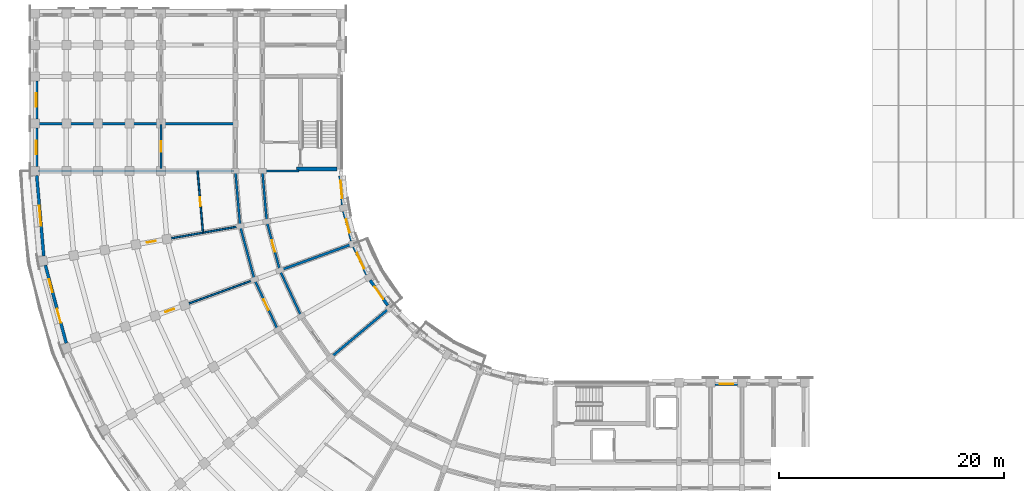
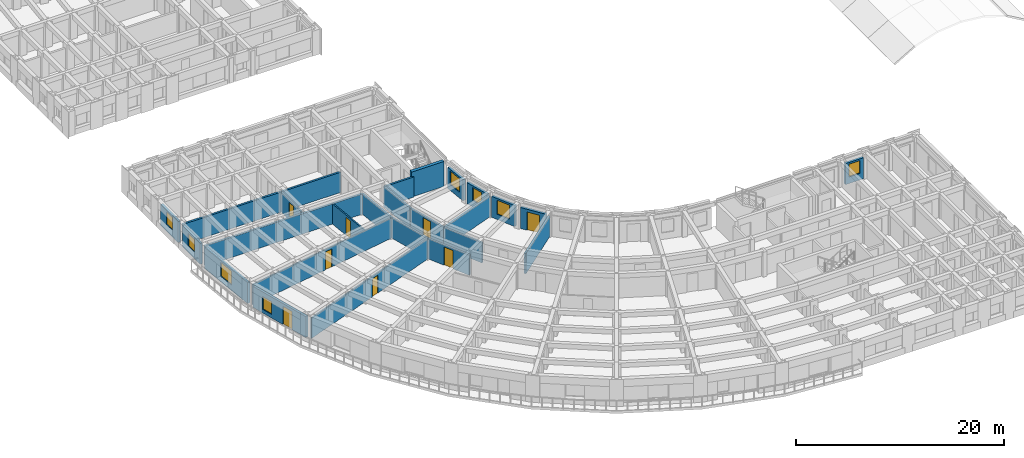
# One storey, part 18 of 54: 25 walls, 8 doors, 8 windows, 16 openings.
"""IFC4 building model written with IfcOpenShell, lengths in metres."""

from ifc_helpers import new_model, si_unit, direction, frame, frame_2d, origin, place, context, subcontext, project, spatial, rectangle, extrude, material, layer, layer_set, type_object, element, fill, save


model = new_model("IFC4")

# Units and contexts
model_context = context("Model", 3, precision=1e-05, world=origin(), true_north=direction((0.0, 1.0)))
body_context = subcontext(model_context, "Body", "Model", "MODEL_VIEW")
ifc_project = project(units=[si_unit("LENGTHUNIT", "METRE"), si_unit("AREAUNIT", "SQUARE_METRE"), si_unit("VOLUMEUNIT", "CUBIC_METRE"), si_unit("PLANEANGLEUNIT", "RADIAN"), si_unit("MASSUNIT", "GRAM", prefix="KILO")], contexts=[model_context])

# Site, building, storey
site_placement = place(None, origin())
site = spatial("IfcSite", under=ifc_project, at=site_placement, CompositionType="ELEMENT")
building_placement = place(site_placement, origin())
building = spatial("IfcBuilding", under=site, at=building_placement, Name="Kiranvali Square Residences", CompositionType="ELEMENT")
storey_placement = place(building_placement, frame((0.0, 0.0, 15.0)))
storey = spatial("IfcBuildingStorey", under=building, at=storey_placement, Name="L04", CompositionType="ELEMENT", Elevation=15.0)

# Wall
ifc_material_1 = material(Name="Autoclaved aerated concrete blockwork masonry", Category="masonry")
ifc_layer_1 = layer(ifc_material_1, 0.199951171875)
ifc_layer_set_1 = layer_set([ifc_layer_1], Name="Autoclaved aerated concrete blockwork masonry")
wall_type_1 = type_object("IfcWallType", Name="WL-COR-200", PredefinedType="STANDARD", material=ifc_layer_set_1)
wall_1_placement = place(storey_placement, frame((25.8564453125, 35.300048828125, 0.0), z_axis=(0.0, 0.0, 1.0), x_axis=(-0.422617978463, 0.906307919131, 0.0)))
element("IfcWall", 1, at=wall_1_placement, inside=storey, type_object=wall_type_1, Name="L04 architectural wall WL-L04-C-CCI-6", PredefinedType="STANDARD", context=body_context, shape_type="SweptSolid", body=[
    extrude(rectangle(XDim=4.497314453125, YDim=0.199951171875, at=frame_2d((2.24853515625, 0.0))), origin(), (0.0, 0.0, 1.0), 2.3720703125),
])

# Wall, opening, door
wall_2_placement = place(storey_placement, frame((23.778076171875, 34.10009765625, 0.0), z_axis=(0.0, 0.0, 1.0), x_axis=(-0.422629854778, 0.906302381024, 0.0)))
wall_2 = element("IfcWall", 2, at=wall_2_placement, inside=storey, type_object=wall_type_1, Name="L04 architectural wall WL-L04-C-CCO-6", PredefinedType="STANDARD", context=body_context, shape_type="SweptSolid", body=[
    extrude(rectangle(XDim=4.915283203125, YDim=0.199951171875, at=frame_2d((2.45751953125, 0.0))), origin(), (0.0, 0.0, 1.0), 2.3720703125),
])
opening_1_placement = place(wall_2_placement, frame((1.937744140625, 0.0, 0.0)))
opening_1 = element("IfcOpeningElement", 3, at=opening_1_placement, cuts=wall_2, Name="Opening FD-APT-60B", PredefinedType="OPENING", context=body_context, shape_type="SweptSolid", body=[
    extrude(rectangle(XDim=1.0400390625, YDim=2.14990234375, at=frame_2d((0.52001953125, 1.074951171875))), frame((0.0, 0.10986328125, 0.0), z_axis=(0.0, -1.0, 0.0), x_axis=(1.0, 0.0, 0.0)), (0.0, 0.0, 1.0), 0.219970703125),
])
ifc_material_2 = material(Name="Fire-rated acoustic hardwood and mineral-core door assembly", Category="wood")
door_type_1 = type_object("IfcDoorType", Name="DR-APT-1040", OperationType="NOTDEFINED", PredefinedType="DOOR", material=ifc_material_2)
door_1_placement = place(opening_1_placement, frame((1.0400390625, 0.0, 0.0), z_axis=(0.0, 0.0, 1.0), x_axis=(-1.0, 0.0, 0.0)))
door_1 = element("IfcDoor", 4, at=door_1_placement, inside=storey, type_object=door_type_1, Name="L04 door DR-L04-2004 (DR-APT-1040)", OperationType="SINGLE_SWING_RIGHT", OverallHeight=2.14990234375, OverallWidth=1.0400390625, PredefinedType="DOOR", context=body_context, shape_type="SweptSolid", body=[
    extrude(rectangle(XDim=1.0400390625, YDim=2.14990234375, at=frame_2d((0.52001953125, 1.074951171875))), frame((0.0, 0.02490234375, 0.0), z_axis=(0.0, -1.0, 0.0), x_axis=(1.0, 0.0, 0.0)), (0.0, 0.0, 1.0), 0.050048828125),
])
fill(opening_1, door_1)

wall_3_placement = place(storey_placement, frame((23.955810546875, 39.3759765625, 0.0), z_axis=(0.0, 0.0, 1.0), x_axis=(-0.258787642463, 0.965934240054, 0.0)))
wall_3 = element("IfcWall", 5, at=wall_3_placement, inside=storey, type_object=wall_type_1, Name="L04 architectural wall WL-L04-C-CCI-7", PredefinedType="STANDARD", context=body_context, shape_type="SweptSolid", body=[
    extrude(rectangle(XDim=4.497314453125, YDim=0.199951171875, at=frame_2d((2.24853515625, 0.0))), origin(), (0.0, 0.0, 1.0), 2.3720703125),
])
opening_2_placement = place(wall_3_placement, frame((1.728515625, 0.0, 0.0)))
opening_2 = element("IfcOpeningElement", 6, at=opening_2_placement, cuts=wall_3, Name="Opening FD-APT-60B", PredefinedType="OPENING", context=body_context, shape_type="SweptSolid", body=[
    extrude(rectangle(XDim=1.0400390625, YDim=2.14990234375, at=frame_2d((0.52001953125, 1.074951171875))), frame((0.0, 0.10986328125, 0.0), z_axis=(0.0, -1.0, 0.0), x_axis=(1.0, 0.0, 0.0)), (0.0, 0.0, 1.0), 0.219970703125),
])
door_2_placement = place(opening_2_placement, origin())
door_2 = element("IfcDoor", 7, at=door_2_placement, inside=storey, type_object=door_type_1, Name="L04 door DR-L04-2009 (DR-APT-1040)", OperationType="SINGLE_SWING_LEFT", OverallHeight=2.14990234375, OverallWidth=1.0400390625, PredefinedType="DOOR", context=body_context, shape_type="SweptSolid", body=[
    extrude(rectangle(XDim=1.0400390625, YDim=2.14990234375, at=frame_2d((0.52001953125, 1.074951171875))), frame((0.0, 0.02490234375, 0.0), z_axis=(0.0, -1.0, 0.0), x_axis=(1.0, 0.0, 0.0)), (0.0, 0.0, 1.0), 0.050048828125),
])
fill(opening_2, door_2)

# Walls
wall_4_placement = place(storey_placement, frame((21.70068359375, 38.554931640625, 0.0), z_axis=(0.0, 0.0, 1.0), x_axis=(-0.258803112091, 0.965930095386, 0.0)))
element("IfcWall", 8, at=wall_4_placement, inside=storey, type_object=wall_type_1, Name="L04 architectural wall WL-L04-C-CCO-7", PredefinedType="STANDARD", context=body_context, shape_type="SweptSolid", body=[
    extrude(rectangle(XDim=4.915771484375, YDim=0.199951171875, at=frame_2d((2.4580078125, 0.0))), origin(), (0.0, 0.0, 1.0), 2.3720703125),
])
wall_5_placement = place(storey_placement, frame((22.7919921875, 43.719970703125, 0.0), z_axis=(0.0, 0.0, 1.0), x_axis=(-0.087187153726, 0.996191949488, 0.0)))
element("IfcWall", 9, at=wall_5_placement, inside=storey, type_object=wall_type_1, Name="L04 architectural wall WL-L04-C-CCI-8", PredefinedType="STANDARD", context=body_context, shape_type="SweptSolid", body=[
    extrude(rectangle(XDim=4.4970703125, YDim=0.199951171875, at=frame_2d((2.24853515625, 0.0))), origin(), (0.0, 0.0, 1.0), 2.3720703125),
])
wall_6_placement = place(storey_placement, frame((20.428466796875, 43.30322265625, 0.0), z_axis=(0.0, 0.0, 1.0), x_axis=(-0.087167566415, 0.996193663584, 0.0)))
element("IfcWall", 10, at=wall_6_placement, inside=storey, type_object=wall_type_1, Name="L04 architectural wall WL-L04-C-CCO-8", PredefinedType="STANDARD", context=body_context, shape_type="SweptSolid", body=[
    extrude(rectangle(XDim=4.91552734375, YDim=0.199951171875, at=frame_2d((2.457763671875, 0.0))), origin(), (0.0, 0.0, 1.0), 2.3720703125),
])
ifc_layer_2 = layer(ifc_material_1, 0.219970703125)
ifc_layer_set_2 = layer_set([ifc_layer_2], Name="Autoclaved aerated concrete blockwork masonry")
wall_type_2 = type_object("IfcWallType", Name="WL-DEM-220", PredefinedType="STANDARD", material=ifc_layer_set_2)
for number, where, z_axis, x_axis, name in (
    (11, (33.645263671875, 35.987060546875, 0.0), (0.0, 0.0, 1.0), (-0.766046761698, -0.642784846501, 0.0), "L04 architectural wall WL-L04-C-RADI-5"),
    (12, (30.345947265625, 41.70166015625, 0.0), (0.0, 0.0, 1.0), (-0.939696231917, -0.342010221662, 0.0), "L04 architectural wall WL-L04-C-RADI-7"),
):
    element("IfcWall", number, at=place(storey_placement, frame(where, z_axis=z_axis, x_axis=x_axis)), inside=storey, type_object=wall_type_2, Name=name, PredefinedType="STANDARD", context=body_context, shape_type="SweptSolid", body=[
        extrude(rectangle(XDim=6.75, YDim=0.219970703125, at=frame_2d((3.375, 0.0))), origin(), (0.0, 0.0, 1.0), 2.3720703125),
    ])
wall_7_placement = place(storey_placement, frame((25.64990234375, 48.199951171875, 0.0), z_axis=(0.0, 0.0, 1.0), x_axis=(-1.0, 0.0, 0.0)))
element("IfcWall", 13, at=wall_7_placement, inside=storey, type_object=wall_type_2, Name="L04 architectural wall WL-L04-C-RADI-9", PredefinedType="STANDARD", context=body_context, shape_type="SweptSolid", body=[
    extrude(rectangle(XDim=3.199951171875, YDim=0.219970703125, at=frame_2d((1.60009765625, 0.0))), origin(), (0.0, 0.0, 1.0), 2.3720703125),
])
wall_8_placement = place(storey_placement, frame((19.89990234375, 48.199951171875, 0.0), z_axis=(0.0, 0.0, 1.0), x_axis=(-1.0, 0.0, 0.0)))
element("IfcWall", 14, at=wall_8_placement, inside=storey, type_object=wall_type_2, Name="L04 architectural wall WL-L04-C-RADO-9", PredefinedType="STANDARD", context=body_context, shape_type="SweptSolid", body=[
    extrude(rectangle(XDim=17.419921875, YDim=0.219970703125, at=frame_2d((8.7099609375, 0.0))), origin(), (0.0, 0.0, 1.0), 2.3720703125),
])
wall_9_placement = place(storey_placement, frame((19.949951171875, 52.39990234375, 0.0), z_axis=(0.0, 0.0, 1.0), x_axis=(-1.0, 0.0, 0.0)))
element("IfcWall", 15, at=wall_9_placement, inside=storey, type_object=wall_type_2, Name="L04 architectural wall WL-L04-C-A2CF-MID", PredefinedType="STANDARD", context=body_context, shape_type="SweptSolid", body=[
    extrude(rectangle(XDim=17.530029296875, YDim=0.219970703125, at=frame_2d((8.76513671875, 0.0))), origin(), (0.0, 0.0, 1.0), 2.3720703125),
])

# Wall, openings, door, window
ifc_material_3 = material(Name="Breathable lime-rendered clay brick masonry", Category="masonry")
ifc_layer_3 = layer(ifc_material_3, 0.27490234375)
ifc_layer_set_3 = layer_set([ifc_layer_3], Name="Breathable lime-rendered clay brick masonry")
wall_type_3 = type_object("IfcWallType", Name="WL-EXT-275", PredefinedType="STANDARD", material=ifc_layer_set_3)
wall_10_placement = place(storey_placement, frame((4.984375, 32.912109375, 0.0), z_axis=(0.0, 0.0, 1.0), x_axis=(-0.258826933296, 0.965923712619, 0.0)))
wall_10 = element("IfcWall", 16, at=wall_10_placement, inside=storey, type_object=wall_type_3, Name="L04 exterior wall C-L04-CRV-07", PredefinedType="STANDARD", context=body_context, shape_type="SweptSolid", body=[
    extrude(rectangle(XDim=7.1640625, YDim=0.27490234375, at=frame_2d((3.58203125, 0.0))), origin(), (0.0, 0.0, 1.0), 2.471923828125),
])
opening_3_placement = place(wall_10_placement, frame((4.6904296875, 0.0, 0.422119140625)))
opening_3 = element("IfcOpeningElement", 17, at=opening_3_placement, cuts=wall_10, Name="Opening W-06", PredefinedType="OPENING", context=body_context, shape_type="SweptSolid", body=[
    extrude(rectangle(XDim=1.199951171875, YDim=1.5, at=frame_2d((0.60009765625, 0.75))), frame((0.0, 0.1474609375, 0.0), z_axis=(0.0, -1.0, 0.0), x_axis=(1.0, 0.0, 0.0)), (0.0, 0.0, 1.0), 0.294921875),
])
opening_4_placement = place(wall_10_placement, frame((1.87744140625, 0.0, 0.0)))
opening_4 = element("IfcOpeningElement", 18, at=opening_4_placement, cuts=wall_10, Name="Opening ED-BAL-2", PredefinedType="OPENING", context=body_context, shape_type="SweptSolid", body=[
    extrude(rectangle(XDim=1.260009765625, YDim=2.14990234375, at=frame_2d((0.6298828125, 1.074951171875))), frame((0.0, 0.1474609375, 0.0), z_axis=(0.0, -1.0, 0.0), x_axis=(1.0, 0.0, 0.0)), (0.0, 0.0, 1.0), 0.294921875),
])
ifc_material_4 = material(Name="Anodised bronze aluminium framing", Category="aluminium")
door_type_2 = type_object("IfcDoorType", Name="DR-BAL-1260", OperationType="NOTDEFINED", PredefinedType="DOOR", material=ifc_material_4)
door_3_placement = place(opening_4_placement, origin())
door_3 = element("IfcDoor", 19, at=door_3_placement, inside=storey, type_object=door_type_2, Name="L04 balcony terrace door", OperationType="SINGLE_SWING_RIGHT", OverallHeight=2.14990234375, OverallWidth=1.260009765625, PredefinedType="DOOR", context=body_context, shape_type="SweptSolid", body=[
    extrude(rectangle(XDim=1.260009765625, YDim=2.14990234375, at=frame_2d((0.6298828125, 1.074951171875))), frame((0.0, 0.02490234375, 0.0), z_axis=(0.0, -1.0, 0.0), x_axis=(1.0, 0.0, 0.0)), (0.0, 0.0, 1.0), 0.050048828125),
])
fill(opening_4, door_3)
ifc_material_5 = material(Name="Solar-control low-e double glazing", Category="glass")
window_type_1 = type_object("IfcWindowType", Name="WIN-RES-1200x1500", PartitioningType="SINGLE_PANEL", PredefinedType="WINDOW", material=ifc_material_5)
window_1_placement = place(opening_3_placement, origin())
window_1 = element("IfcWindow", 20, at=window_1_placement, inside=storey, type_object=window_type_1, Name="L04 recessed window C-L04-CRV-07", OverallHeight=1.5, OverallWidth=1.199951171875, PartitioningType="SINGLE_PANEL", PredefinedType="WINDOW", context=body_context, shape_type="SweptSolid", body=[
    extrude(rectangle(XDim=1.199951171875, YDim=1.5, at=frame_2d((0.60009765625, 0.75))), frame((0.0, 0.030029296875, 0.0), z_axis=(0.0, -1.0, 0.0), x_axis=(1.0, 0.0, 0.0)), (0.0, 0.0, 1.0), 0.06005859375),
])
fill(opening_3, window_1)

# Wall, opening, window
wall_11_placement = place(storey_placement, frame((2.986083984375, 40.648681640625, 0.0), z_axis=(0.0, 0.0, 1.0), x_axis=(-0.08713989423, 0.99619608453, 0.0)))
wall_11 = element("IfcWall", 21, at=wall_11_placement, inside=storey, type_object=wall_type_3, Name="L04 exterior wall C-L04-CRV-08", PredefinedType="STANDARD", context=body_context, shape_type="SweptSolid", body=[
    extrude(rectangle(XDim=7.1640625, YDim=0.27490234375, at=frame_2d((3.58203125, 0.0))), origin(), (0.0, 0.0, 1.0), 2.471923828125),
])
opening_5_placement = place(wall_11_placement, frame((2.68212890625, 0.0, 0.6220703125)))
opening_5 = element("IfcOpeningElement", 22, at=opening_5_placement, cuts=wall_11, Name="Opening W-04", PredefinedType="OPENING", context=body_context, shape_type="SweptSolid", body=[
    extrude(rectangle(XDim=1.800048828125, YDim=1.64990234375, at=frame_2d((0.89990234375, 0.824951171875))), frame((0.0, 0.1474609375, 0.0), z_axis=(0.0, -1.0, 0.0), x_axis=(1.0, 0.0, 0.0)), (0.0, 0.0, 1.0), 0.294921875),
])
window_type_2 = type_object("IfcWindowType", Name="WIN-RES-1800x1650", PartitioningType="DOUBLE_PANEL_VERTICAL", PredefinedType="WINDOW", material=ifc_material_5)
window_2_placement = place(opening_5_placement, origin())
window_2 = element("IfcWindow", 23, at=window_2_placement, inside=storey, type_object=window_type_2, Name="L04 recessed window C-L04-CRV-08", OverallHeight=1.64990234375, OverallWidth=1.800048828125, PartitioningType="DOUBLE_PANEL_VERTICAL", PredefinedType="WINDOW", context=body_context, shape_type="SweptSolid", body=[
    extrude(rectangle(XDim=1.800048828125, YDim=1.64990234375, at=frame_2d((0.89990234375, 0.824951171875))), frame((0.0, 0.030029296875, 0.0), z_axis=(0.0, -1.0, 0.0), x_axis=(1.0, 0.0, 0.0)), (0.0, 0.0, 1.0), 0.06005859375),
])
fill(opening_5, window_2)

# Wall, opening, door
wall_12_placement = place(storey_placement, frame((33.535400390625, 36.27294921875, 0.0), z_axis=(0.0, 0.0, 1.0), x_axis=(-0.573546755948, 0.81917282593, 0.0)))
wall_12 = element("IfcWall", 24, at=wall_12_placement, inside=storey, type_object=wall_type_3, Name="L04 exterior wall C-L04-GDN-05", PredefinedType="STANDARD", context=body_context, shape_type="SweptSolid", body=[
    extrude(rectangle(XDim=2.717529296875, YDim=0.27490234375, at=frame_2d((1.35888671875, 0.0))), origin(), (0.0, 0.0, 1.0), 2.471923828125),
])
opening_6_placement = place(wall_12_placement, frame((0.69873046875, 0.0, 0.0)))
opening_6 = element("IfcOpeningElement", 25, at=opening_6_placement, cuts=wall_12, Name="Opening ED-BAL-3", PredefinedType="OPENING", context=body_context, shape_type="SweptSolid", body=[
    extrude(rectangle(XDim=1.320068359375, YDim=2.14990234375, at=frame_2d((0.66015625, 1.074951171875))), frame((0.0, 0.1474609375, 0.0), z_axis=(0.0, -1.0, 0.0), x_axis=(1.0, 0.0, 0.0)), (0.0, 0.0, 1.0), 0.294921875),
])
door_type_3 = type_object("IfcDoorType", Name="DR-BAL-1320", OperationType="NOTDEFINED", PredefinedType="DOOR", material=ifc_material_4)
door_4_placement = place(opening_6_placement, frame((1.320068359375, 0.0, 0.0), z_axis=(0.0, 0.0, 1.0), x_axis=(-1.0, 0.0, 0.0)))
door_4 = element("IfcDoor", 26, at=door_4_placement, inside=storey, type_object=door_type_3, Name="L04 balcony terrace door", OperationType="SINGLE_SWING_RIGHT", OverallHeight=2.14990234375, OverallWidth=1.320068359375, PredefinedType="DOOR", context=body_context, shape_type="SweptSolid", body=[
    extrude(rectangle(XDim=1.320068359375, YDim=2.14990234375, at=frame_2d((0.66015625, 1.074951171875))), frame((0.0, 0.02490234375, 0.0), z_axis=(0.0, -1.0, 0.0), x_axis=(1.0, 0.0, 0.0)), (0.0, 0.0, 1.0), 0.050048828125),
])
fill(opening_6, door_4)

# Wall, opening, window
wall_13_placement = place(storey_placement, frame((31.687255859375, 39.000732421875, 0.0), z_axis=(0.0, 0.0, 1.0), x_axis=(-0.422610022166, 0.906311629168, 0.0)))
wall_13 = element("IfcWall", 27, at=wall_13_placement, inside=storey, type_object=wall_type_3, Name="L04 exterior wall C-L04-GDN-06", PredefinedType="STANDARD", context=body_context, shape_type="SweptSolid", body=[
    extrude(rectangle(XDim=2.717529296875, YDim=0.27490234375, at=frame_2d((1.35888671875, 0.0))), origin(), (0.0, 0.0, 1.0), 2.471923828125),
])
opening_7_placement = place(wall_13_placement, frame((0.608642578125, 0.0, 0.6220703125)))
opening_7 = element("IfcOpeningElement", 28, at=opening_7_placement, cuts=wall_13, Name="Opening W-05", PredefinedType="OPENING", context=body_context, shape_type="SweptSolid", body=[
    extrude(rectangle(XDim=1.5, YDim=1.64990234375, at=frame_2d((0.75, 0.824951171875))), frame((0.0, 0.1474609375, 0.0), z_axis=(0.0, -1.0, 0.0), x_axis=(1.0, 0.0, 0.0)), (0.0, 0.0, 1.0), 0.294921875),
])
window_type_3 = type_object("IfcWindowType", Name="WIN-RES-1500x1650", PartitioningType="DOUBLE_PANEL_VERTICAL", PredefinedType="WINDOW", material=ifc_material_5)
window_3_placement = place(opening_7_placement, origin())
window_3 = element("IfcWindow", 29, at=window_3_placement, inside=storey, type_object=window_type_3, Name="L04 recessed window C-L04-GDN-06", OverallHeight=1.64990234375, OverallWidth=1.5, PartitioningType="DOUBLE_PANEL_VERTICAL", PredefinedType="WINDOW", context=body_context, shape_type="SweptSolid", body=[
    extrude(rectangle(XDim=1.5, YDim=1.64990234375, at=frame_2d((0.75, 0.824951171875))), frame((0.0, 0.030029296875, 0.0), z_axis=(0.0, -1.0, 0.0), x_axis=(1.0, 0.0, 0.0)), (0.0, 0.0, 1.0), 0.06005859375),
])
fill(opening_7, window_3)

wall_14_placement = place(storey_placement, frame((30.340576171875, 42.0078125, 0.0), z_axis=(0.0, 0.0, 1.0), x_axis=(-0.258819907011, 0.965925595341, 0.0)))
wall_14 = element("IfcWall", 30, at=wall_14_placement, inside=storey, type_object=wall_type_3, Name="L04 exterior wall C-L04-GDN-07", PredefinedType="STANDARD", context=body_context, shape_type="SweptSolid", body=[
    extrude(rectangle(XDim=2.717529296875, YDim=0.27490234375, at=frame_2d((1.35888671875, 0.0))), origin(), (0.0, 0.0, 1.0), 2.471923828125),
])
opening_8_placement = place(wall_14_placement, frame((0.7587890625, 0.0, 0.77197265625)))
opening_8 = element("IfcOpeningElement", 31, at=opening_8_placement, cuts=wall_14, Name="Opening W-06", PredefinedType="OPENING", context=body_context, shape_type="SweptSolid", body=[
    extrude(rectangle(XDim=1.199951171875, YDim=1.5, at=frame_2d((0.60009765625, 0.75))), frame((0.0, 0.1474609375, 0.0), z_axis=(0.0, -1.0, 0.0), x_axis=(1.0, 0.0, 0.0)), (0.0, 0.0, 1.0), 0.294921875),
])
window_4_placement = place(opening_8_placement, origin())
window_4 = element("IfcWindow", 32, at=window_4_placement, inside=storey, type_object=window_type_1, Name="L04 recessed window C-L04-GDN-07", OverallHeight=1.5, OverallWidth=1.199951171875, PartitioningType="SINGLE_PANEL", PredefinedType="WINDOW", context=body_context, shape_type="SweptSolid", body=[
    extrude(rectangle(XDim=1.199951171875, YDim=1.5, at=frame_2d((0.60009765625, 0.75))), frame((0.0, 0.030029296875, 0.0), z_axis=(0.0, -1.0, 0.0), x_axis=(1.0, 0.0, 0.0)), (0.0, 0.0, 1.0), 0.06005859375),
])
fill(opening_8, window_4)

wall_15_placement = place(storey_placement, frame((29.53662109375, 45.203125, 0.0), z_axis=(0.0, 0.0, 1.0), x_axis=(-0.08716102895, 0.996194235595, 0.0)))
wall_15 = element("IfcWall", 33, at=wall_15_placement, inside=storey, type_object=wall_type_3, Name="L04 exterior wall C-L04-GDN-08", PredefinedType="STANDARD", context=body_context, shape_type="SweptSolid", body=[
    extrude(rectangle(XDim=2.557373046875, YDim=0.27490234375, at=frame_2d((1.27880859375, 0.0))), origin(), (0.0, 0.0, 1.0), 2.471923828125),
])
opening_9_placement = place(wall_15_placement, frame((0.583740234375, 0.0, 0.672119140625)))
opening_9 = element("IfcOpeningElement", 34, at=opening_9_placement, cuts=wall_15, Name="Opening W-18", PredefinedType="OPENING", context=body_context, shape_type="SweptSolid", body=[
    extrude(rectangle(XDim=1.550048828125, YDim=1.60009765625, at=frame_2d((0.77490234375, 0.800048828125))), frame((0.0, 0.1474609375, 0.0), z_axis=(0.0, -1.0, 0.0), x_axis=(1.0, 0.0, 0.0)), (0.0, 0.0, 1.0), 0.294921875),
])
window_type_4 = type_object("IfcWindowType", Name="WIN-GDN-1550x1600", PartitioningType="DOUBLE_PANEL_VERTICAL", PredefinedType="WINDOW", material=ifc_material_5)
window_5_placement = place(opening_9_placement, origin())
window_5 = element("IfcWindow", 35, at=window_5_placement, inside=storey, type_object=window_type_4, Name="L04 recessed window C-L04-GDN-08", OverallHeight=1.60009765625, OverallWidth=1.550048828125, PartitioningType="DOUBLE_PANEL_VERTICAL", PredefinedType="WINDOW", context=body_context, shape_type="SweptSolid", body=[
    extrude(rectangle(XDim=1.550048828125, YDim=1.60009765625, at=frame_2d((0.77490234375, 0.800048828125))), frame((0.0, 0.030029296875, 0.0), z_axis=(0.0, -1.0, 0.0), x_axis=(1.0, 0.0, 0.0)), (0.0, 0.0, 1.0), 0.06005859375),
])
fill(opening_9, window_5)

wall_16_placement = place(storey_placement, frame((62.603515625, 29.27490234375, 0.0), z_axis=(0.0, 0.0, 1.0), x_axis=(1.0, 0.0, 0.0)))
wall_16 = element("IfcWall", 36, at=wall_16_placement, inside=storey, type_object=wall_type_3, Name="L04 exterior wall C-L04-A1I-1", PredefinedType="STANDARD", context=body_context, shape_type="SweptSolid", body=[
    extrude(rectangle(XDim=1.992919921875, YDim=0.27490234375, at=frame_2d((0.99658203125, 0.0))), origin(), (0.0, 0.0, 1.0), 2.471923828125),
])
opening_10_placement = place(wall_16_placement, frame((0.396484375, 0.0, 0.77197265625)))
opening_10 = element("IfcOpeningElement", 37, at=opening_10_placement, cuts=wall_16, Name="Opening W-06", PredefinedType="OPENING", context=body_context, shape_type="SweptSolid", body=[
    extrude(rectangle(XDim=1.199951171875, YDim=1.5, at=frame_2d((0.60009765625, 0.75))), frame((0.0, 0.1474609375, 0.0), z_axis=(0.0, -1.0, 0.0), x_axis=(1.0, 0.0, 0.0)), (0.0, 0.0, 1.0), 0.294921875),
])
window_6_placement = place(opening_10_placement, origin())
window_6 = element("IfcWindow", 38, at=window_6_placement, inside=storey, type_object=window_type_1, Name="L04 recessed window C-L04-A1I-1", OverallHeight=1.5, OverallWidth=1.199951171875, PartitioningType="SINGLE_PANEL", PredefinedType="WINDOW", context=body_context, shape_type="SweptSolid", body=[
    extrude(rectangle(XDim=1.199951171875, YDim=1.5, at=frame_2d((0.60009765625, 0.75))), frame((0.0, 0.030029296875, 0.0), z_axis=(0.0, -1.0, 0.0), x_axis=(1.0, 0.0, 0.0)), (0.0, 0.0, 1.0), 0.06005859375),
])
fill(opening_10, window_6)

wall_17_placement = place(storey_placement, frame((2.324951171875, 48.603515625, 0.0), z_axis=(0.0, 0.0, 1.0), x_axis=(0.0, 1.0, 0.0)))
wall_17 = element("IfcWall", 39, at=wall_17_placement, inside=storey, type_object=wall_type_3, Name="L04 exterior wall C-L04-A2O-0", PredefinedType="STANDARD", context=body_context, shape_type="SweptSolid", body=[
    extrude(rectangle(XDim=3.39306640625, YDim=0.27490234375, at=frame_2d((1.696533203125, 0.0))), origin(), (0.0, 0.0, 1.0), 2.471923828125),
])
opening_11_placement = place(wall_17_placement, frame((1.096435546875, 0.0, 0.77197265625)))
opening_11 = element("IfcOpeningElement", 40, at=opening_11_placement, cuts=wall_17, Name="Opening W-06", PredefinedType="OPENING", context=body_context, shape_type="SweptSolid", body=[
    extrude(rectangle(XDim=1.199951171875, YDim=1.5, at=frame_2d((0.60009765625, 0.75))), frame((0.0, 0.1474609375, 0.0), z_axis=(0.0, -1.0, 0.0), x_axis=(1.0, 0.0, 0.0)), (0.0, 0.0, 1.0), 0.294921875),
])
window_7_placement = place(opening_11_placement, origin())
window_7 = element("IfcWindow", 41, at=window_7_placement, inside=storey, type_object=window_type_1, Name="L04 recessed window C-L04-A2O-0", OverallHeight=1.5, OverallWidth=1.199951171875, PartitioningType="SINGLE_PANEL", PredefinedType="WINDOW", context=body_context, shape_type="SweptSolid", body=[
    extrude(rectangle(XDim=1.199951171875, YDim=1.5, at=frame_2d((0.60009765625, 0.75))), frame((0.0, 0.030029296875, 0.0), z_axis=(0.0, -1.0, 0.0), x_axis=(1.0, 0.0, 0.0)), (0.0, 0.0, 1.0), 0.06005859375),
])
fill(opening_11, window_7)

wall_18_placement = place(storey_placement, frame((2.324951171875, 52.803466796875, 0.0), z_axis=(0.0, 0.0, 1.0), x_axis=(0.0, 1.0, 0.0)))
wall_18 = element("IfcWall", 42, at=wall_18_placement, inside=storey, type_object=wall_type_3, Name="L04 exterior wall C-L04-A2O-1", PredefinedType="STANDARD", context=body_context, shape_type="SweptSolid", body=[
    extrude(rectangle(XDim=3.39306640625, YDim=0.27490234375, at=frame_2d((1.696533203125, 0.0))), origin(), (0.0, 0.0, 1.0), 2.471923828125),
])
opening_12_placement = place(wall_18_placement, frame((1.096435546875, 0.0, 0.77197265625)))
opening_12 = element("IfcOpeningElement", 43, at=opening_12_placement, cuts=wall_18, Name="Opening W-06", PredefinedType="OPENING", context=body_context, shape_type="SweptSolid", body=[
    extrude(rectangle(XDim=1.199951171875, YDim=1.5, at=frame_2d((0.60009765625, 0.75))), frame((0.0, 0.1474609375, 0.0), z_axis=(0.0, -1.0, 0.0), x_axis=(1.0, 0.0, 0.0)), (0.0, 0.0, 1.0), 0.294921875),
])
window_8_placement = place(opening_12_placement, origin())
window_8 = element("IfcWindow", 44, at=window_8_placement, inside=storey, type_object=window_type_1, Name="L04 recessed window C-L04-A2O-1", OverallHeight=1.5, OverallWidth=1.199951171875, PartitioningType="SINGLE_PANEL", PredefinedType="WINDOW", context=body_context, shape_type="SweptSolid", body=[
    extrude(rectangle(XDim=1.199951171875, YDim=1.5, at=frame_2d((0.60009765625, 0.75))), frame((0.0, 0.030029296875, 0.0), z_axis=(0.0, -1.0, 0.0), x_axis=(1.0, 0.0, 0.0)), (0.0, 0.0, 1.0), 0.06005859375),
])
fill(opening_12, window_8)

# Wall, opening, door
ifc_material_6 = material(Name="Acoustic gypsum board drylined partition", Category="gypsum")
ifc_layer_4 = layer(ifc_material_6, 0.14990234375)
ifc_layer_set_4 = layer_set([ifc_layer_4], Name="Acoustic gypsum board drylined partition")
wall_type_4 = type_object("IfcWallType", Name="WL-PRT-150", PredefinedType="PARTITIONING", material=ifc_layer_set_4)
wall_19_placement = place(storey_placement, frame((21.606689453125, 38.520751953125, 0.0), z_axis=(0.0, 0.0, 1.0), x_axis=(-0.939691901159, -0.342022120477, 0.0)))
wall_19 = element("IfcWall", 45, at=wall_19_placement, inside=storey, type_object=wall_type_4, Name="L04 architectural wall WL-L04-C-RADO-7", PredefinedType="PARTITIONING", context=body_context, shape_type="SweptSolid", body=[
    extrude(rectangle(XDim=17.419921875, YDim=0.14990234375, at=frame_2d((8.7099609375, 0.0))), origin(), (0.0, 0.0, 1.0), 2.3720703125),
])
opening_13_placement = place(wall_19_placement, frame((7.5, 0.0, 0.0)))
opening_13 = element("IfcOpeningElement", 46, at=opening_13_placement, cuts=wall_19, Name="Opening ID-WET", PredefinedType="OPENING", context=body_context, shape_type="SweptSolid", body=[
    extrude(rectangle(XDim=0.800048828125, YDim=2.10009765625, at=frame_2d((0.39990234375, 1.050048828125))), frame((0.0, 0.0849609375, 0.0), z_axis=(0.0, -1.0, 0.0), x_axis=(1.0, 0.0, 0.0)), (0.0, 0.0, 1.0), 0.169921875),
])
ifc_material_7 = material(Name="Solid seasoned teak hardwood joinery", Category="wood")
door_type_4 = type_object("IfcDoorType", Name="DR-WET-800", OperationType="NOTDEFINED", PredefinedType="DOOR", material=ifc_material_7)
door_5_placement = place(opening_13_placement, origin())
door_5 = element("IfcDoor", 47, at=door_5_placement, inside=storey, type_object=door_type_4, Name="L04 door DR-L04-1997 (DR-WET-800)", OperationType="SINGLE_SWING_LEFT", OverallHeight=2.10009765625, OverallWidth=0.800048828125, PredefinedType="DOOR", context=body_context, shape_type="SweptSolid", body=[
    extrude(rectangle(XDim=0.800048828125, YDim=2.10009765625, at=frame_2d((0.39990234375, 1.050048828125))), frame((0.0, 0.02490234375, 0.0), z_axis=(0.0, -1.0, 0.0), x_axis=(1.0, 0.0, 0.0)), (0.0, 0.0, 1.0), 0.050048828125),
])
fill(opening_13, door_5)

wall_20_placement = place(storey_placement, frame((20.329833984375, 43.28564453125, 0.0), z_axis=(0.0, 0.0, 1.0), x_axis=(-0.984808098809, -0.173646216546, 0.0)))
wall_20 = element("IfcWall", 48, at=wall_20_placement, inside=storey, type_object=wall_type_4, Name="L04 architectural wall WL-L04-C-RADO-8", PredefinedType="PARTITIONING", context=body_context, shape_type="SweptSolid", body=[
    extrude(rectangle(XDim=17.419921875, YDim=0.14990234375, at=frame_2d((8.7099609375, 0.0))), origin(), (0.0, 0.0, 1.0), 2.3720703125),
])
opening_14_placement = place(wall_20_placement, frame((7.5, 0.0, 0.0)))
opening_14 = element("IfcOpeningElement", 49, at=opening_14_placement, cuts=wall_20, Name="Opening ID-WET", PredefinedType="OPENING", context=body_context, shape_type="SweptSolid", body=[
    extrude(rectangle(XDim=0.800048828125, YDim=2.10009765625, at=frame_2d((0.39990234375, 1.050048828125))), frame((0.0, 0.0849609375, 0.0), z_axis=(0.0, -1.0, 0.0), x_axis=(1.0, 0.0, 0.0)), (0.0, 0.0, 1.0), 0.169921875),
])
door_6_placement = place(opening_14_placement, frame((0.800048828125, 0.0, 0.0), z_axis=(0.0, 0.0, 1.0), x_axis=(-1.0, 0.0, 0.0)))
door_6 = element("IfcDoor", 50, at=door_6_placement, inside=storey, type_object=door_type_4, Name="L04 door DR-L04-1998 (DR-WET-800)", OperationType="SINGLE_SWING_RIGHT", OverallHeight=2.10009765625, OverallWidth=0.800048828125, PredefinedType="DOOR", context=body_context, shape_type="SweptSolid", body=[
    extrude(rectangle(XDim=0.800048828125, YDim=2.10009765625, at=frame_2d((0.39990234375, 1.050048828125))), frame((0.0, 0.02490234375, 0.0), z_axis=(0.0, -1.0, 0.0), x_axis=(1.0, 0.0, 0.0)), (0.0, 0.0, 1.0), 0.050048828125),
])
fill(opening_14, door_6)

wall_21_placement = place(storey_placement, frame((13.39990234375, 48.429931640625, 0.0), z_axis=(0.0, 0.0, 1.0), x_axis=(0.0, 1.0, 0.0)))
wall_21 = element("IfcWall", 51, at=wall_21_placement, inside=storey, type_object=wall_type_4, Name="L04 architectural wall WL-L04-C-A2CF-SP0", PredefinedType="PARTITIONING", context=body_context, shape_type="SweptSolid", body=[
    extrude(rectangle(XDim=3.89013671875, YDim=0.14990234375, at=frame_2d((1.945068359375, 0.0))), origin(), (0.0, 0.0, 1.0), 2.3720703125),
])
opening_15_placement = place(wall_21_placement, frame((1.4951171875, 0.0, 0.0)))
opening_15 = element("IfcOpeningElement", 52, at=opening_15_placement, cuts=wall_21, Name="Opening ID-1", PredefinedType="OPENING", context=body_context, shape_type="SweptSolid", body=[
    extrude(rectangle(XDim=0.89990234375, YDim=2.10009765625, at=frame_2d((0.449951171875, 1.050048828125))), frame((0.0, 0.0849609375, 0.0), z_axis=(0.0, -1.0, 0.0), x_axis=(1.0, 0.0, 0.0)), (0.0, 0.0, 1.0), 0.169921875),
])
door_type_5 = type_object("IfcDoorType", Name="DR-INT-900", OperationType="NOTDEFINED", PredefinedType="DOOR", material=ifc_material_7)
door_7_placement = place(opening_15_placement, origin())
door_7 = element("IfcDoor", 53, at=door_7_placement, inside=storey, type_object=door_type_5, Name="L04 door DR-L04-2011 (DR-INT-900)", OperationType="SINGLE_SWING_LEFT", OverallHeight=2.10009765625, OverallWidth=0.89990234375, PredefinedType="DOOR", context=body_context, shape_type="SweptSolid", body=[
    extrude(rectangle(XDim=0.89990234375, YDim=2.10009765625, at=frame_2d((0.449951171875, 1.050048828125))), frame((0.0, 0.02490234375, 0.0), z_axis=(0.0, -1.0, 0.0), x_axis=(1.0, 0.0, 0.0)), (0.0, 0.0, 1.0), 0.050048828125),
])
fill(opening_15, door_7)

# Wall
ifc_material_8 = material(Name="Concrete M50 (50 MPa)", Category="concrete")
ifc_layer_5 = layer(ifc_material_8, 0.35009765625)
ifc_layer_set_5 = layer_set([ifc_layer_5], Name="Concrete M50 (50 MPa)")
wall_type_5 = type_object("IfcWallType", Name="WL-SHR-350", PredefinedType="SHEAR", material=ifc_layer_set_5)
wall_22_placement = place(storey_placement, frame((29.050048828125, 48.375, 0.0), z_axis=(0.0, 0.0, 1.0), x_axis=(-1.0, 0.0, 0.0)))
element("IfcWall", 54, at=wall_22_placement, inside=storey, type_object=wall_type_5, Name="Block C core shear wall SW-C3-NEAR-L04", PredefinedType="SHEAR", context=body_context, shape_type="SweptSolid", body=[
    extrude(rectangle(XDim=3.60009765625, YDim=0.35009765625, at=frame_2d((1.800048828125, 0.0))), origin(), (0.0, 0.0, 1.0), 2.929931640625),
])

# Wall, opening, door
ifc_layer_6 = layer(ifc_material_1, 0.14990234375)
ifc_layer_set_6 = layer_set([ifc_layer_6], Name="Autoclaved aerated concrete blockwork masonry")
wall_type_6 = type_object("IfcWallType", Name="WL-WET-150", PredefinedType="PLUMBINGWALL", material=ifc_layer_set_6)
wall_23_placement = place(storey_placement, frame((17.12939453125, 42.721435546875, 0.0), z_axis=(0.0, 0.0, 1.0), x_axis=(-0.087188978393, 0.996191789791, 0.0)))
wall_23 = element("IfcWall", 55, at=wall_23_placement, inside=storey, type_object=wall_type_6, Name="L04 architectural wall WL-L04-C-CWET-8", PredefinedType="PLUMBINGWALL", context=body_context, shape_type="SweptSolid", body=[
    extrude(rectangle(XDim=5.49951171875, YDim=0.14990234375, at=frame_2d((2.749755859375, 0.0))), origin(), (0.0, 0.0, 1.0), 2.3720703125),
])
opening_16_placement = place(wall_23_placement, frame((2.349853515625, 0.0, 0.0)))
opening_16 = element("IfcOpeningElement", 56, at=opening_16_placement, cuts=wall_23, Name="Opening ID-WET", PredefinedType="OPENING", context=body_context, shape_type="SweptSolid", body=[
    extrude(rectangle(XDim=0.800048828125, YDim=2.10009765625, at=frame_2d((0.39990234375, 1.050048828125))), frame((0.0, 0.0849609375, 0.0), z_axis=(0.0, -1.0, 0.0), x_axis=(1.0, 0.0, 0.0)), (0.0, 0.0, 1.0), 0.169921875),
])
door_8_placement = place(opening_16_placement, origin())
door_8 = element("IfcDoor", 57, at=door_8_placement, inside=storey, type_object=door_type_4, Name="L04 door DR-L04-2005 (DR-WET-800)", OperationType="SINGLE_SWING_LEFT", OverallHeight=2.10009765625, OverallWidth=0.800048828125, PredefinedType="DOOR", context=body_context, shape_type="SweptSolid", body=[
    extrude(rectangle(XDim=0.800048828125, YDim=2.10009765625, at=frame_2d((0.39990234375, 1.050048828125))), frame((0.0, 0.02490234375, 0.0), z_axis=(0.0, -1.0, 0.0), x_axis=(1.0, 0.0, 0.0)), (0.0, 0.0, 1.0), 0.050048828125),
])
fill(opening_16, door_8)

save(model, "model.ifc")
